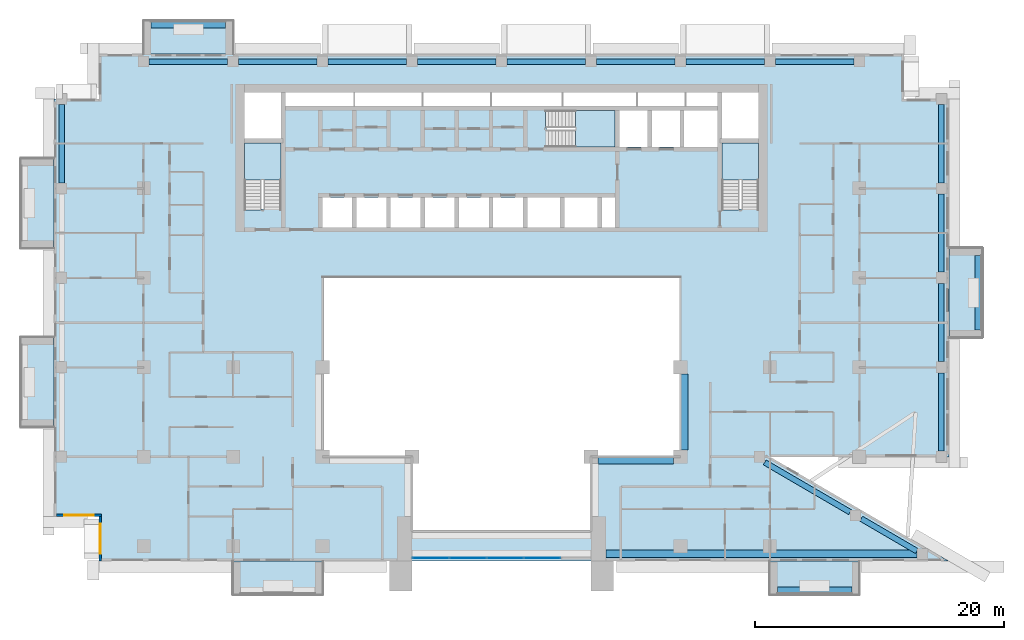
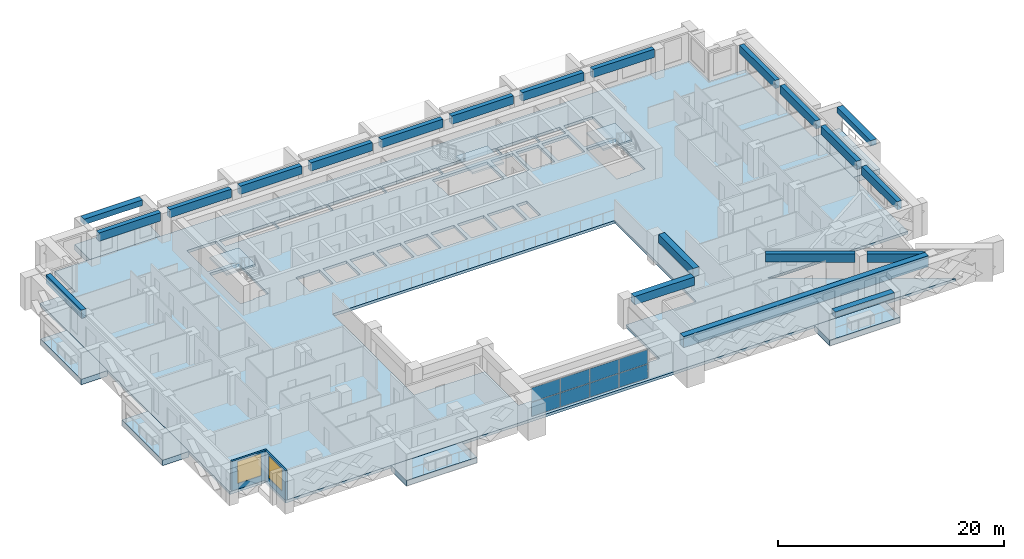
# One storey, part 5 of 20: 21 beams, 10 slabs, 8 plates, 2 walls, 2 windows, 2 openings, 4 elements without a shape of their own.
"""IFC4 building model written with IfcOpenShell, lengths in metres."""

import ifcopenshell
import ifcopenshell.guid

model = None  # the IFC model being written
_history = None  # IfcOwnerHistory: only IFC2X3 demands one
_inside = {}  # id of a spatial element -> (the spatial element, [elements in it])
_under = {}  # id of a project, library or spatial element -> (it, [spatial elements below it])
_declared = {}  # id of a project -> (the project, [libraries it declares])
_typed = {}  # id of a type object -> (the type object, [elements of that type])
_made_of = {}  # id of a material, layer set ... -> (it, [elements and type objects made of it])


def new_model(schema):
    """Start an empty IFC model of exactly this schema.

    Asked for "IFC4X3", IfcOpenShell would pick the latest addendum, in which some entities
    have other attributes; the version numbers below select the first issue.
    IFC2X3 requires an IfcOwnerHistory on every rooted entity: one is made here for all.
    """
    global model, _history
    if schema == "IFC4X3":
        model = ifcopenshell.file(schema_version=(4, 3, 0, 0))
    else:
        model = ifcopenshell.file(schema=schema)
    _inside.clear()
    _under.clear()
    _declared.clear()
    _typed.clear()
    _made_of.clear()
    _history = None
    if model.schema == "IFC2X3":
        org = make("IfcOrganization", Name="unknown")
        user = make(
            "IfcPersonAndOrganization",
            ThePerson=make("IfcPerson", FamilyName="unknown"),
            TheOrganization=org,
        )
        app = make(
            "IfcApplication",
            ApplicationDeveloper=org,
            Version="unknown",
            ApplicationFullName="unknown",
            ApplicationIdentifier="unknown",
        )
        _history = make(
            "IfcOwnerHistory",
            OwningUser=user,
            OwningApplication=app,
            ChangeAction="ADDED",
            CreationDate=0,
        )
    return model


def make(cls, **values):
    """One entity of the class cls with the attributes given. An attribute that is None is left unset."""
    return model.create_entity(
        cls, **{name: value for name, value in values.items() if value is not None}
    )


def rooted(cls, **values):
    """An entity with a GlobalId (a new one), such as an element, a storey or a relation."""
    return make(cls, GlobalId=ifcopenshell.guid.new(), OwnerHistory=_history, **values)


def si_unit(unit_type, name, prefix=None):
    """IfcSIUnit, for example si_unit("LENGTHUNIT", "METRE", prefix="MILLI")."""
    return make("IfcSIUnit", UnitType=unit_type, Prefix=prefix, Name=name)


def assignment(units):
    """IfcUnitAssignment: the units of a project."""
    return None if units is None else make("IfcUnitAssignment", Units=units)


def point(xyz):
    """IfcCartesianPoint."""
    return None if xyz is None else make("IfcCartesianPoint", Coordinates=xyz)


def direction(xyz):
    """IfcDirection."""
    return None if xyz is None else make("IfcDirection", DirectionRatios=xyz)


def frame(location, z_axis=None, x_axis=None):
    """IfcAxis2Placement3D, a coordinate frame: its origin and axes. An axis left out is left unset."""
    return make(
        "IfcAxis2Placement3D",
        Location=point(location),
        Axis=direction(z_axis),
        RefDirection=direction(x_axis),
    )


def frame_2d(location, x_axis=None):
    """IfcAxis2Placement2D, a coordinate frame in the plane: its origin and x axis."""
    return make(
        "IfcAxis2Placement2D", Location=point(location), RefDirection=direction(x_axis)
    )


def origin():
    """The frame at (0, 0, 0) with its axes left unset."""
    return frame((0.0, 0.0, 0.0))


def origin_2d():
    """The frame at (0, 0) in the plane with its x axis left unset."""
    return frame_2d((0.0, 0.0))


def place(relative_to, where):
    """IfcLocalPlacement: puts the frame where relative to a parent placement (None: the world)."""
    return make(
        "IfcLocalPlacement", PlacementRelTo=relative_to, RelativePlacement=where
    )


def context(
    kind, dimensions, precision=None, world=None, true_north=None, identifier=None
):
    """IfcGeometricRepresentationContext, for example the 3D "Model" context."""
    return make(
        "IfcGeometricRepresentationContext",
        ContextIdentifier=identifier,
        ContextType=kind,
        CoordinateSpaceDimension=dimensions,
        Precision=precision,
        WorldCoordinateSystem=world,
        TrueNorth=true_north,
    )


def subcontext(parent, identifier, kind, view, scale=None):
    """IfcGeometricRepresentationSubContext, for example "Body" below "Model"."""
    return make(
        "IfcGeometricRepresentationSubContext",
        ContextIdentifier=identifier,
        ContextType=kind,
        ParentContext=parent,
        TargetScale=scale,
        TargetView=view,
    )


def project(units=None, contexts=None):
    """IfcProject with its units and contexts."""
    return rooted(
        "IfcProject",
        Name="project",
        RepresentationContexts=contexts,
        UnitsInContext=assignment(units),
    )


def spatial(cls, under=None, at=None, **own):
    """A site, building, storey or space (cls), placed at a placement, below another one or the project."""
    s = rooted(cls, ObjectPlacement=at, **own)
    if under is not None:
        _under.setdefault(under.id(), (under, []))[1].append(s)
    return s


def polyline(points):
    """IfcPolyline through the points."""
    return make("IfcPolyline", Points=[point(p) for p in points])


def profile(cls, at=None, kind="AREA", **sizes):
    """A parametric profile (cls). Its sizes go by their IFC names, for example OverallWidth=200.0."""
    return make(cls, ProfileType=kind, Position=at, **sizes)


def rectangle(**sizes):
    """IfcRectangleProfileDef."""
    return profile("IfcRectangleProfileDef", **sizes)


def outline(outer, holes=None, kind="AREA"):
    """IfcArbitraryClosedProfileDef: a profile drawn as a closed curve; with holes, ...WithVoids."""
    if holes is None:
        return make("IfcArbitraryClosedProfileDef", ProfileType=kind, OuterCurve=outer)
    return make(
        "IfcArbitraryProfileDefWithVoids",
        ProfileType=kind,
        OuterCurve=outer,
        InnerCurves=holes,
    )


def extrude(swept, where, along, depth):
    """IfcExtrudedAreaSolid: the profile swept, set in the frame where, extruded along a direction by depth."""
    return make(
        "IfcExtrudedAreaSolid",
        SweptArea=swept,
        Position=where,
        ExtrudedDirection=direction(along),
        Depth=depth,
    )


def shape(context_of_items, identifier, shape_type, items):
    """IfcShapeRepresentation: the items that make up one representation, for example the "Body"."""
    return make(
        "IfcShapeRepresentation",
        ContextOfItems=context_of_items,
        RepresentationIdentifier=identifier,
        RepresentationType=shape_type,
        Items=items,
    )


def source(mapping_origin, context_of_items, identifier, shape_type, items):
    """IfcRepresentationMap: a shape defined once, which mapped items show again and again."""
    return make(
        "IfcRepresentationMap",
        MappingOrigin=mapping_origin,
        MappedRepresentation=shape(context_of_items, identifier, shape_type, items),
    )


def transform(
    local_origin,
    x_axis=None,
    y_axis=None,
    z_axis=None,
    scale=None,
    scale2=None,
    scale3=None,
    uniform=True,
):
    """IfcCartesianTransformationOperator3D, or its non-uniform kind. x_axis, y_axis, z_axis: its Axis1, 2, 3."""
    if uniform:
        return make(
            "IfcCartesianTransformationOperator3D",
            Axis1=direction(x_axis),
            Axis2=direction(y_axis),
            LocalOrigin=point(local_origin),
            Scale=scale,
            Axis3=direction(z_axis),
        )
    return make(
        "IfcCartesianTransformationOperator3DnonUniform",
        Axis1=direction(x_axis),
        Axis2=direction(y_axis),
        LocalOrigin=point(local_origin),
        Scale=scale,
        Axis3=direction(z_axis),
        Scale2=scale2,
        Scale3=scale3,
    )


def mapped(mapping_source, mapping_target):
    """IfcMappedItem: shows the shape of a source again, moved by a transform."""
    return make(
        "IfcMappedItem", MappingSource=mapping_source, MappingTarget=mapping_target
    )


def material(Name=None, Category=None):
    """IfcMaterial."""
    return make("IfcMaterial", Name=Name, Category=Category)


def layer(
    of_material, thickness, ventilated=None, Name=None, Category=None, Priority=None
):
    """IfcMaterialLayer: one layer of a wall or slab, of a material (None: an air gap)."""
    return make(
        "IfcMaterialLayer",
        Material=of_material,
        LayerThickness=thickness,
        IsVentilated=ventilated,
        Name=Name,
        Category=Category,
        Priority=Priority,
    )


def layer_set(layers, Name=None):
    """IfcMaterialLayerSet."""
    return make("IfcMaterialLayerSet", MaterialLayers=layers, LayerSetName=Name)


def material_profile(
    of_material, cross_section, Name=None, Category=None, Priority=None
):
    """IfcMaterialProfile: a cross section and its material."""
    return make(
        "IfcMaterialProfile",
        Name=Name,
        Material=of_material,
        Profile=cross_section,
        Priority=Priority,
        Category=Category,
    )


def profile_set(profiles, Name=None, composite=None):
    """IfcMaterialProfileSet."""
    return make(
        "IfcMaterialProfileSet",
        Name=Name,
        MaterialProfiles=profiles,
        CompositeProfile=composite,
    )


def made_of(thing, what):
    """Note that an element or type object is made of a material, layer set ...; save() writes the relation."""
    if what is not None:
        _made_of.setdefault(what.id(), (what, []))[1].append(thing)
    return thing


def type_object(cls, material=None, **own):
    """A type object (cls), such as IfcWallType, which elements share."""
    return made_of(rooted(cls, **own), material)


def element(
    cls,
    number,
    at=None,
    inside=None,
    cuts=None,
    type_object=None,
    material=None,
    context=None,
    identifier="Body",
    shape_type=None,
    held_by="IfcProductDefinitionShape",
    body=None,
    shapes=None,
    **own,
):
    """One element of the class cls, such as IfcWall. Its Tag is "e" and its number.

    at: its placement. inside: the storey or other place that contains it. cuts: it is an
    opening in that element (IfcRelVoidsElement). A single representation is given by context,
    identifier, shape_type and body (its items); several are given by shapes. held_by: the class
    of the entity that holds the representations. save() writes the other relations.
    """
    e = rooted(cls, Tag="e%d" % number, ObjectPlacement=at, **own)
    if body is not None:
        shapes = [shape(context, identifier, shape_type, body)]
    if shapes is not None:
        e.Representation = make(held_by, Representations=shapes)
    if inside is not None:
        _inside.setdefault(inside.id(), (inside, []))[1].append(e)
    if cuts is not None:
        rooted(
            "IfcRelVoidsElement", RelatingBuildingElement=cuts, RelatedOpeningElement=e
        )
    if type_object is not None:
        _typed.setdefault(type_object.id(), (type_object, []))[1].append(e)
    return made_of(e, material)


def fill(opening, filler):
    """IfcRelFillsElement: the door or window that sits in an opening."""
    return rooted(
        "IfcRelFillsElement",
        RelatingOpeningElement=opening,
        RelatedBuildingElement=filler,
    )


def aggregate(whole, parts):
    """IfcRelAggregates: a whole, such as a stair, and the parts it consists of."""
    return rooted("IfcRelAggregates", RelatingObject=whole, RelatedObjects=parts)


def save(model, path):
    """Write the relations noted so far, then the file.

    IfcRelAggregates (storeys below a building ...), IfcRelContainedInSpatialStructure (elements
    in a storey), IfcRelDefinesByType, IfcRelAssociatesMaterial and IfcRelDeclares: one each for
    every whole, place, type object, material and project.
    """
    for whole, parts in _under.values():
        aggregate(whole, parts)
    for where, things in _inside.values():
        rooted(
            "IfcRelContainedInSpatialStructure",
            RelatedElements=things,
            RelatingStructure=where,
        )
    for kind, things in _typed.values():
        rooted("IfcRelDefinesByType", RelatedObjects=things, RelatingType=kind)
    for what, things in _made_of.values():
        rooted("IfcRelAssociatesMaterial", RelatedObjects=things, RelatingMaterial=what)
    for by, libraries in _declared.values():
        rooted("IfcRelDeclares", RelatingContext=by, RelatedDefinitions=libraries)
    model.write(path)


model = new_model("IFC4")

# Units and contexts
model_context = context("Model", 3, precision=1e-05, world=origin(), true_north=direction((0.0, 1.0)))
body_context = subcontext(model_context, "Body", "Model", "MODEL_VIEW")
ifc_project = project(units=[si_unit("LENGTHUNIT", "METRE"), si_unit("AREAUNIT", "SQUARE_METRE"), si_unit("VOLUMEUNIT", "CUBIC_METRE"), si_unit("PLANEANGLEUNIT", "RADIAN"), si_unit("MASSUNIT", "GRAM", prefix="KILO")], contexts=[model_context])

# Site, building, storey
site_placement = place(None, origin())
site = spatial("IfcSite", under=ifc_project, at=site_placement, CompositionType="ELEMENT")
building_placement = place(site_placement, origin())
building = spatial("IfcBuilding", under=site, at=building_placement, Name="Saffron Iwan Residences", CompositionType="ELEMENT")
storey_placement = place(building_placement, frame((0.0, 0.0, 127.0)))
storey = spatial("IfcBuildingStorey", under=building, at=storey_placement, Name="L33", CompositionType="ELEMENT", Elevation=127.0)

# Beams
ifc_material_1 = material(Name="Concrete C50/60", Category="concrete")
ifc_material_profile_1 = material_profile(ifc_material_1, rectangle(XDim=0.449951171875, YDim=0.89990234375, at=origin_2d()), Name="RC 450x900")
ifc_profile_set_1 = profile_set([ifc_material_profile_1], Name="Concrete C50/60")
beam_type_1 = type_object("IfcBeamType", Name="SPANDREL BEAM RC 450x900 C50/60 TOP 3200", PredefinedType="SPANDREL", material=ifc_profile_set_1)
shared_shape_1 = source(origin(), body_context, "Body", "SweptSolid", [
    extrude(rectangle(XDim=0.449951171875, YDim=0.89990234375, at=origin_2d()), origin(), (0.0, 0.0, 1.0), 5.184814453125),
])
beam_1_placement = place(storey_placement, frame((79.34765625, 43.019287109375, 2.75), z_axis=(0.86377206948, -0.503882736345, 0.0), x_axis=(0.503882736345, 0.86377206948, 0.0)))
element("IfcBeam", 1, at=beam_1_placement, inside=storey, type_object=beam_type_1, Name="Spandrel beam", PredefinedType="SPANDREL", context=body_context, shape_type="MappedRepresentation", body=[
    mapped(shared_shape_1, transform((0.0, 0.0, 0.0))),
])
shared_shape_2 = source(origin(), body_context, "Body", "SweptSolid", [
    extrude(rectangle(XDim=0.449951171875, YDim=0.89990234375, at=origin_2d()), origin(), (0.0, 0.0, 1.0), 7.9501953125),
])
beam_2_placement = place(storey_placement, frame((71.58056640625, 47.550048828125, 2.75), z_axis=(0.863778900898, -0.503871025524, 0.0), x_axis=(0.503871025524, 0.863778900898, 0.0)))
element("IfcBeam", 2, at=beam_2_placement, inside=storey, type_object=beam_type_1, Name="Spandrel beam", PredefinedType="SPANDREL", context=body_context, shape_type="MappedRepresentation", body=[
    mapped(shared_shape_2, transform((0.0, 0.0, 0.0))),
])
shared_shape_3 = source(origin(), body_context, "Body", "SweptSolid", [
    extrude(rectangle(XDim=0.449951171875, YDim=0.89990234375, at=origin_2d()), origin(), (0.0, 0.0, 1.0), 6.300048828125),
])
for number, where, z_axis, x_axis, name in (
    (3, (85.800048828125, 54.75, 2.75), (0.0, -1.0, 0.0), (1.0, 0.0, 0.0), "Spandrel beam"),
    (4, (85.800048828125, 61.949951171875, 2.75), (0.0, -1.0, 0.0), (1.0, 0.0, 0.0), "Spandrel beam"),
    (5, (15.0, 70.050048828125, 2.75), (0.0, 1.0, 0.0), (-1.0, 0.0, 0.0), "Spandrel beam"),
    (6, (85.800048828125, 76.35009765625, 2.75), (0.0, -1.0, 0.0), (1.0, 0.0, 0.0), "Spandrel beam"),
    (7, (22.050048828125, 79.800048828125, 2.75), (1.0, 0.0, 0.0), (0.0, 1.0, 0.0), "Spandrel beam"),
    (8, (29.25, 79.800048828125, 2.75), (1.0, 0.0, 0.0), (0.0, 1.0, 0.0), "Spandrel beam"),
    (9, (36.449951171875, 79.800048828125, 2.75), (1.0, 0.0, 0.0), (0.0, 1.0, 0.0), "Spandrel beam"),
    (10, (43.64990234375, 79.800048828125, 2.75), (1.0, 0.0, 0.0), (0.0, 1.0, 0.0), "Spandrel beam"),
    (11, (58.050048828125, 79.800048828125, 2.75), (1.0, 0.0, 0.0), (0.0, 1.0, 0.0), "Spandrel beam"),
    (12, (65.25, 79.800048828125, 2.75), (1.0, 0.0, 0.0), (0.0, 1.0, 0.0), "Spandrel beam"),
    (13, (72.449951171875, 79.800048828125, 2.75), (1.0, 0.0, 0.0), (0.0, 1.0, 0.0), "Spandrel beam"),
):
    element("IfcBeam", number, at=place(storey_placement, frame(where, z_axis=z_axis, x_axis=x_axis)), inside=storey, type_object=beam_type_1, Name=name, PredefinedType="SPANDREL", context=body_context, shape_type="MappedRepresentation", body=[
        mapped(shared_shape_3, transform((0.0, 0.0, 0.0))),
    ])
shared_shape_4 = source(origin(), body_context, "Body", "SweptSolid", [
    extrude(rectangle(XDim=0.449951171875, YDim=0.89990234375, at=origin_2d()), origin(), (0.0, 0.0, 1.0), 6.2998046875),
])
for number, where, z_axis, x_axis, name in (
    (14, (85.800048828125, 69.14990234375, 2.75), (0.0, -1.0, 0.0), (1.0, 0.0, 0.0), "Spandrel beam"),
    (15, (50.85009765625, 79.800048828125, 2.75), (1.0, 0.0, 0.0), (0.0, 1.0, 0.0), "Spandrel beam"),
):
    element("IfcBeam", number, at=place(storey_placement, frame(where, z_axis=z_axis, x_axis=x_axis)), inside=storey, type_object=beam_type_1, Name=name, PredefinedType="SPANDREL", context=body_context, shape_type="MappedRepresentation", body=[
        mapped(shared_shape_4, transform((0.0, 0.0, 0.0))),
    ])
ifc_material_profile_2 = material_profile(ifc_material_1, rectangle(XDim=0.60009765625, YDim=1.199951171875, at=origin_2d()), Name="RC 600x1200")
ifc_profile_set_2 = profile_set([ifc_material_profile_2], Name="Concrete C50/60")
beam_type_2 = type_object("IfcBeamType", Name="LINTEL BEAM RC 600x1200 C50/60 TOP 3200", PredefinedType="LINTEL", material=ifc_profile_set_2)
shared_shape_5 = source(origin(), body_context, "Body", "SweptSolid", [
    extrude(rectangle(XDim=0.60009765625, YDim=1.199951171875, at=origin_2d()), origin(), (0.0, 0.0, 1.0), 25.026123046875),
])
beam_3_placement = place(storey_placement, frame((83.826171875, 40.199951171875, 2.60009765625), z_axis=(-1.0, 0.0, 0.0), x_axis=(0.0, -1.0, 0.0)))
element("IfcBeam", 16, at=beam_3_placement, inside=storey, type_object=beam_type_2, Name="Lintel beam over the iwan", PredefinedType="LINTEL", context=body_context, shape_type="MappedRepresentation", body=[
    mapped(shared_shape_5, transform((0.0, 0.0, 0.0))),
])
ifc_material_profile_3 = material_profile(ifc_material_1, rectangle(XDim=0.60009765625, YDim=0.89990234375, at=origin_2d()), Name="RC 600x900")
ifc_profile_set_3 = profile_set([ifc_material_profile_3], Name="Concrete C50/60")
beam_type_3 = type_object("IfcBeamType", Name="BEAM RC 600x900 C50/60 TOP 3200", PredefinedType="BEAM", material=ifc_profile_set_3)
shared_shape_6 = source(origin(), body_context, "Body", "SweptSolid", [
    extrude(rectangle(XDim=0.60009765625, YDim=0.89990234375, at=origin_2d()), origin(), (0.0, 0.0, 1.0), 6.099853515625),
])
beam_4_placement = place(storey_placement, frame((65.10009765625, 54.64990234375, 2.75), z_axis=(0.0, -1.0, 0.0), x_axis=(1.0, 0.0, 0.0)))
element("IfcBeam", 17, at=beam_4_placement, inside=storey, type_object=beam_type_3, Name="Atrium edge beam", PredefinedType="BEAM", context=body_context, shape_type="MappedRepresentation", body=[
    mapped(shared_shape_6, transform((0.0, 0.0, 0.0))),
])
shared_shape_7 = source(origin(), body_context, "Body", "SweptSolid", [
    extrude(rectangle(XDim=0.60009765625, YDim=0.89990234375, at=origin_2d()), origin(), (0.0, 0.0, 1.0), 6.10009765625),
])
beam_5_placement = place(storey_placement, frame((64.25, 47.699951171875, 2.75), z_axis=(-1.0, 0.0, 0.0), x_axis=(0.0, -1.0, 0.0)))
element("IfcBeam", 18, at=beam_5_placement, inside=storey, type_object=beam_type_3, Name="Atrium edge beam", PredefinedType="BEAM", context=body_context, shape_type="MappedRepresentation", body=[
    mapped(shared_shape_7, transform((0.0, 0.0, 0.0))),
])
ifc_material_2 = material(Name="Concrete C50/60 white painted", Category="concrete")
ifc_material_profile_4 = material_profile(ifc_material_2, rectangle(XDim=0.60009765625, YDim=0.60009765625, at=origin_2d()), Name="BALCONY FASCIA BEAM 600 x 600")
ifc_profile_set_4 = profile_set([ifc_material_profile_4], Name="Concrete C50/60 white painted")
beam_type_4 = type_object("IfcBeamType", Name="BALCONY FASCIA BEAM 600 x 600", PredefinedType="BEAM", material=ifc_profile_set_4)
shared_shape_8 = source(origin(), body_context, "Body", "SweptSolid", [
    extrude(rectangle(XDim=0.60009765625, YDim=0.60009765625, at=origin_2d()), origin(), (0.0, 0.0, 1.0), 6.0),
])
for number, where, z_axis, x_axis, name in (
    (19, (88.800048828125, 58.199951171875, 2.550048828125), (0.0, 1.0, 0.0), (-1.0, 0.0, 0.0), "Balcony fascia beam L33 F2-0"),
    (20, (28.199951171875, 82.800048828125, 2.550048828125), (-1.0, 0.0, 0.0), (0.0, -1.0, 0.0), "Balcony fascia beam L33 F5-3"),
    (21, (72.60009765625, 37.199951171875, 2.550048828125), (1.0, 0.0, 0.0), (0.0, 1.0, 0.0), "Balcony fascia beam L33 11-1"),
):
    element("IfcBeam", number, at=place(storey_placement, frame(where, z_axis=z_axis, x_axis=x_axis)), inside=storey, type_object=beam_type_4, Name=name, PredefinedType="BEAM", context=body_context, shape_type="MappedRepresentation", body=[
        mapped(shared_shape_8, transform((0.0, 0.0, 0.0))),
    ])

# Slabs
ifc_layer_1 = layer(ifc_material_2, 0.60009765625)
ifc_layer_set_1 = layer_set([ifc_layer_1], Name="Concrete C50/60 white painted")
slab_type_1 = type_object("IfcSlabType", Name="BALCONY FRAME SLAB 600", PredefinedType="FLOOR", material=ifc_layer_set_1)
slab_1_placement = place(storey_placement, frame((0.0, 0.0, -0.60009765625)))
element("IfcSlab", 22, at=slab_1_placement, inside=storey, type_object=slab_type_1, Name="Balcony frame slab L33 F2-0", PredefinedType="FLOOR", context=body_context, shape_type="SweptSolid", body=[
    extrude(outline(polyline([(89.10009765625, 57.60009765625), (89.10009765625, 64.800048828125), (86.39990234375, 64.800048828125), (86.39990234375, 57.60009765625), (89.10009765625, 57.60009765625)])), origin(), (0.0, 0.0, 1.0), 0.60009765625),
])
slab_2_placement = place(storey_placement, frame((0.0, 0.0, -0.60009765625)))
element("IfcSlab", 23, at=slab_2_placement, inside=storey, type_object=slab_type_1, Name="Balcony frame slab L33 F5-3", PredefinedType="FLOOR", context=body_context, shape_type="SweptSolid", body=[
    extrude(outline(polyline([(28.800048828125, 83.10009765625), (21.60009765625, 83.10009765625), (21.60009765625, 80.39990234375), (28.800048828125, 80.39990234375), (28.800048828125, 83.10009765625)])), origin(), (0.0, 0.0, 1.0), 0.60009765625),
])
slab_3_placement = place(storey_placement, frame((0.0, 0.0, -0.60009765625)))
element("IfcSlab", 24, at=slab_3_placement, inside=storey, type_object=slab_type_1, Name="Balcony frame slab L33 F8-0", PredefinedType="FLOOR", context=body_context, shape_type="SweptSolid", body=[
    extrude(outline(polyline([(11.699951171875, 72.0), (11.699951171875, 64.800048828125), (14.39990234375, 64.800048828125), (14.39990234375, 72.0), (11.699951171875, 72.0)])), origin(), (0.0, 0.0, 1.0), 0.60009765625),
])
slab_4_placement = place(storey_placement, frame((0.0, 0.0, -0.60009765625)))
element("IfcSlab", 25, at=slab_4_placement, inside=storey, type_object=slab_type_1, Name="Balcony frame slab L33 F8-1", PredefinedType="FLOOR", context=body_context, shape_type="SweptSolid", body=[
    extrude(outline(polyline([(11.699951171875, 57.60009765625), (11.699951171875, 50.39990234375), (14.39990234375, 50.39990234375), (14.39990234375, 57.60009765625), (11.699951171875, 57.60009765625)])), origin(), (0.0, 0.0, 1.0), 0.60009765625),
])
slab_5_placement = place(storey_placement, frame((0.0, 0.0, -0.60009765625)))
element("IfcSlab", 26, at=slab_5_placement, inside=storey, type_object=slab_type_1, Name="Balcony frame slab L33 11-0", PredefinedType="FLOOR", context=body_context, shape_type="SweptSolid", body=[
    extrude(outline(polyline([(28.800048828125, 36.89990234375), (36.0, 36.89990234375), (36.0, 39.60009765625), (28.800048828125, 39.60009765625), (28.800048828125, 36.89990234375)])), origin(), (0.0, 0.0, 1.0), 0.60009765625),
])
slab_6_placement = place(storey_placement, frame((0.0, 0.0, -0.60009765625)))
element("IfcSlab", 27, at=slab_6_placement, inside=storey, type_object=slab_type_1, Name="Balcony frame slab L33 11-1", PredefinedType="FLOOR", context=body_context, shape_type="SweptSolid", body=[
    extrude(outline(polyline([(72.0, 36.89990234375), (79.199951171875, 36.89990234375), (79.199951171875, 39.60009765625), (72.0, 39.60009765625), (72.0, 36.89990234375)])), origin(), (0.0, 0.0, 1.0), 0.60009765625),
])
ifc_material_3 = material(Name="Concrete C40/50", Category="concrete")
ifc_layer_2 = layer(ifc_material_3, 0.300048828125)
ifc_layer_set_2 = layer_set([ifc_layer_2], Name="Concrete C40/50")
slab_type_2 = type_object("IfcSlabType", Name="PT PLATE 300 C40/50", PredefinedType="FLOOR", material=ifc_layer_set_2)
slab_7_placement = place(storey_placement, frame((0.0, 0.0, -0.300048828125)))
element("IfcSlab", 28, at=slab_7_placement, inside=storey, type_object=slab_type_2, Name="Floor slab L33", PredefinedType="FLOOR", context=body_context, shape_type="SweptSolid", body=[
    extrude(outline(polyline([(14.39990234375, 43.199951171875), (14.39990234375, 76.800048828125), (18.0, 76.800048828125), (18.0, 80.39990234375), (82.800048828125, 80.39990234375), (82.800048828125, 76.800048828125), (86.39990234375, 76.800048828125), (86.39990234375, 48.0), (72.0, 48.0), (86.39990234375, 39.60009765625), (18.0, 39.60009765625), (18.0, 43.199951171875), (14.39990234375, 43.199951171875)]), holes=[polyline([(64.800048828125, 48.0), (64.800048828125, 62.39990234375), (36.0, 62.39990234375), (36.0, 48.0), (43.199951171875, 48.0), (43.199951171875, 42.0), (57.60009765625, 42.0), (57.60009765625, 48.0), (64.800048828125, 48.0)]), polyline([(38.375, 68.875), (35.97509765625, 68.875), (35.97509765625, 66.449951171875), (38.375, 66.449951171875), (38.375, 68.875)]), polyline([(41.125, 66.449951171875), (41.125, 68.875), (38.72509765625, 68.875), (38.72509765625, 66.449951171875), (41.125, 66.449951171875)]), polyline([(43.875, 66.449951171875), (43.875, 68.875), (41.47509765625, 68.875), (41.47509765625, 66.449951171875), (43.875, 66.449951171875)]), polyline([(46.625, 68.875), (44.22509765625, 68.875), (44.22509765625, 66.449951171875), (46.625, 66.449951171875), (46.625, 68.875)]), polyline([(49.375, 66.449951171875), (49.375, 68.875), (46.97509765625, 68.875), (46.97509765625, 66.449951171875), (49.375, 66.449951171875)]), polyline([(52.125, 66.449951171875), (52.125, 68.875), (49.72509765625, 68.875), (49.72509765625, 66.449951171875), (52.125, 66.449951171875)]), polyline([(29.699951171875, 73.25), (29.699951171875, 67.949951171875), (29.699951171875, 67.8505859375), (31.10009765625, 67.8505859375), (31.10009765625, 67.949951171875), (32.64990234375, 67.949951171875), (32.64990234375, 73.25), (29.699951171875, 73.25)]), polyline([(32.64990234375, 73.60009765625), (32.64990234375, 77.300048828125), (29.699951171875, 77.300048828125), (29.699951171875, 73.60009765625), (32.64990234375, 73.60009765625)]), polyline([(38.5, 76.22509765625), (38.5, 77.300048828125), (33.0, 77.300048828125), (33.0, 76.22509765625), (38.5, 76.22509765625)]), polyline([(44.0, 77.300048828125), (38.60009765625, 77.300048828125), (38.60009765625, 76.22509765625), (44.0, 76.22509765625), (44.0, 77.300048828125)]), polyline([(49.5, 76.22509765625), (49.5, 77.300048828125), (44.10009765625, 77.300048828125), (44.10009765625, 76.22509765625), (49.5, 76.22509765625)]), polyline([(55.25, 76.22509765625), (55.25, 77.300048828125), (49.60009765625, 77.300048828125), (49.60009765625, 76.22509765625), (55.25, 76.22509765625)]), polyline([(55.125, 68.875), (52.47509765625, 68.875), (52.47509765625, 66.449951171875), (55.125, 66.449951171875), (55.125, 68.875)]), polyline([(58.125, 66.449951171875), (58.125, 68.875), (55.47509765625, 68.875), (55.47509765625, 66.449951171875), (58.125, 66.449951171875)]), polyline([(59.550048828125, 66.449951171875), (59.550048828125, 68.875), (58.47509765625, 68.875), (58.47509765625, 66.449951171875), (59.550048828125, 66.449951171875)]), polyline([(68.14990234375, 73.25), (68.14990234375, 67.949951171875), (68.14990234375, 67.8505859375), (69.550048828125, 67.8505859375), (69.550048828125, 67.949951171875), (71.10009765625, 67.949951171875), (71.10009765625, 73.25), (68.14990234375, 73.25)]), polyline([(53.925537109375, 74.47509765625), (54.02490234375, 74.47509765625), (54.02490234375, 72.925048828125), (59.550048828125, 72.925048828125), (59.550048828125, 75.875), (54.02490234375, 75.875), (53.925537109375, 75.875), (53.925537109375, 74.47509765625)]), polyline([(62.14990234375, 72.925048828125), (62.14990234375, 75.875), (59.89990234375, 75.875), (59.89990234375, 72.925048828125), (62.14990234375, 72.925048828125)]), polyline([(64.75, 75.875), (62.5, 75.875), (62.5, 72.925048828125), (64.75, 72.925048828125), (64.75, 75.875)]), polyline([(67.800048828125, 72.925048828125), (67.800048828125, 75.875), (65.10009765625, 75.875), (65.10009765625, 72.925048828125), (67.800048828125, 72.925048828125)]), polyline([(71.10009765625, 73.60009765625), (71.10009765625, 77.300048828125), (68.14990234375, 77.300048828125), (68.14990234375, 73.60009765625), (71.10009765625, 73.60009765625)]), polyline([(61.25, 77.300048828125), (55.35009765625, 77.300048828125), (55.35009765625, 76.22509765625), (61.25, 76.22509765625), (61.25, 77.300048828125)]), polyline([(65.14990234375, 76.22509765625), (65.14990234375, 77.300048828125), (61.35009765625, 77.300048828125), (61.35009765625, 76.22509765625), (65.14990234375, 76.22509765625)]), polyline([(67.800048828125, 76.22509765625), (67.800048828125, 77.300048828125), (65.25, 77.300048828125), (65.25, 76.22509765625), (67.800048828125, 76.22509765625)])]), origin(), (0.0, 0.0, 1.0), 0.300048828125),
])

# Stair, slab
stair_type = type_object("IfcStairType", Name="Stair ST-CORE", PredefinedType="HALF_TURN_STAIR", material=ifc_material_1)
stair_1_placement = place(storey_placement, origin())
stair_1 = element("IfcStair", 29, at=stair_1_placement, inside=storey, type_object=stair_type, Name="L33 Exit Stair ST-W", PredefinedType="HALF_TURN_STAIR")
ifc_layer_3 = layer(ifc_material_1, 0.199951171875)
ifc_layer_set_3 = layer_set([ifc_layer_3], Name="Concrete C50/60")
slab_type_3 = type_object("IfcSlabType", Name="Stair landing SL-RC", PredefinedType="LANDING", material=ifc_layer_set_3)
slab_8_placement = place(storey_placement, frame((0.0, 0.0, 1.5498046875)))
slab_8 = element("IfcSlab", 30, at=slab_8_placement, type_object=slab_type_3, Name="ST-W landing 1", PredefinedType="LANDING", context=body_context, shape_type="SweptSolid", body=[
    extrude(outline(polyline([(32.64990234375, 70.280029296875), (32.64990234375, 73.25), (29.699951171875, 73.25), (29.699951171875, 70.280029296875), (32.64990234375, 70.280029296875)])), origin(), (0.0, 0.0, 1.0), 0.2001953125),
])
aggregate(stair_1, [slab_8])

stair_2_placement = place(storey_placement, origin())
stair_2 = element("IfcStair", 31, at=stair_2_placement, inside=storey, type_object=stair_type, Name="L33 Exit Stair ST-C", PredefinedType="HALF_TURN_STAIR")
slab_9_placement = place(storey_placement, frame((0.0, 0.0, 1.5498046875)))
slab_9 = element("IfcSlab", 32, at=slab_9_placement, type_object=slab_type_3, Name="ST-C landing 1", PredefinedType="LANDING", context=body_context, shape_type="SweptSolid", body=[
    extrude(outline(polyline([(56.35498046875, 72.925048828125), (59.550048828125, 72.925048828125), (59.550048828125, 75.875), (56.35498046875, 75.875), (56.35498046875, 72.925048828125)])), origin(), (0.0, 0.0, 1.0), 0.2001953125),
])
aggregate(stair_2, [slab_9])

stair_3_placement = place(storey_placement, origin())
stair_3 = element("IfcStair", 33, at=stair_3_placement, inside=storey, type_object=stair_type, Name="L33 Exit Stair ST-E", PredefinedType="HALF_TURN_STAIR")
slab_10_placement = place(storey_placement, frame((0.0, 0.0, 1.5498046875)))
slab_10 = element("IfcSlab", 34, at=slab_10_placement, type_object=slab_type_3, Name="ST-E landing 1", PredefinedType="LANDING", context=body_context, shape_type="SweptSolid", body=[
    extrude(outline(polyline([(71.10009765625, 70.280029296875), (71.10009765625, 73.25), (68.14990234375, 73.25), (68.14990234375, 70.280029296875), (71.10009765625, 70.280029296875)])), origin(), (0.0, 0.0, 1.0), 0.2001953125),
])
aggregate(stair_3, [slab_10])

# Curtain wall, plates
ifc_material_4 = material(Name="Clear glass, laminated double glazed", Category="glass")
ifc_layer_4 = layer(ifc_material_4, 0.199951171875)
ifc_layer_set_4 = layer_set([ifc_layer_4], Name="Clear glass, laminated double glazed")
curtain_wall_type = type_object("IfcCurtainWallType", Name="CW-B IWAN PORTAL", PredefinedType="NOTDEFINED", material=ifc_layer_set_4)
curtain_wall_placement = place(storey_placement, origin())
curtain_wall = element("IfcCurtainWall", 35, at=curtain_wall_placement, inside=storey, type_object=curtain_wall_type, Name="Iwan portal glazing L33.1", PredefinedType="NOTDEFINED")
ifc_layer_5 = layer(ifc_material_4, 0.028076171875)
ifc_layer_set_5 = layer_set([ifc_layer_5], Name="Clear glass, laminated double glazed")
plate_type = type_object("IfcPlateType", Name="CW-B PANEL 28", PredefinedType="CURTAIN_PANEL", material=ifc_layer_set_5)
shared_shape_9 = source(origin(), body_context, "Body", "SweptSolid", [
    extrude(rectangle(XDim=2.909912109375, YDim=0.028076171875, at=origin_2d()), origin(), (0.0, 0.0, 1.0), 1.510009765625),
])
plate_1_placement = place(storey_placement, frame((44.715087890625, 39.85009765625, 0.06005859375), z_axis=(0.0, 0.0, 1.0), x_axis=(1.0, 0.0, 0.0)))
plate_1 = element("IfcPlate", 36, at=plate_1_placement, type_object=plate_type, Name="CW-B panel 1.1", PredefinedType="CURTAIN_PANEL", context=body_context, shape_type="MappedRepresentation", body=[
    mapped(shared_shape_9, transform((0.0, 0.0, 0.0))),
])
plate_2_placement = place(storey_placement, frame((44.715087890625, 39.85009765625, 1.6298828125), z_axis=(0.0, 0.0, 1.0), x_axis=(1.0, 0.0, 0.0)))
plate_2 = element("IfcPlate", 37, at=plate_2_placement, type_object=plate_type, Name="CW-B panel 1.2", PredefinedType="CURTAIN_PANEL", context=body_context, shape_type="MappedRepresentation", body=[
    mapped(shared_shape_9, transform((0.0, 0.0, 0.0))),
])
plate_3_placement = place(storey_placement, frame((53.68505859375, 39.85009765625, 0.06005859375), z_axis=(0.0, 0.0, 1.0), x_axis=(1.0, 0.0, 0.0)))
plate_3 = element("IfcPlate", 38, at=plate_3_placement, type_object=plate_type, Name="CW-B panel 4.1", PredefinedType="CURTAIN_PANEL", context=body_context, shape_type="MappedRepresentation", body=[
    mapped(shared_shape_9, transform((0.0, 0.0, 0.0))),
])
plate_4_placement = place(storey_placement, frame((53.68505859375, 39.85009765625, 1.6298828125), z_axis=(0.0, 0.0, 1.0), x_axis=(1.0, 0.0, 0.0)))
plate_4 = element("IfcPlate", 39, at=plate_4_placement, type_object=plate_type, Name="CW-B panel 4.2", PredefinedType="CURTAIN_PANEL", context=body_context, shape_type="MappedRepresentation", body=[
    mapped(shared_shape_9, transform((0.0, 0.0, 0.0))),
])
shared_shape_10 = source(origin(), body_context, "Body", "SweptSolid", [
    extrude(rectangle(XDim=2.93994140625, YDim=0.028076171875, at=origin_2d()), origin(), (0.0, 0.0, 1.0), 1.510009765625),
])
plate_5_placement = place(storey_placement, frame((47.699951171875, 39.85009765625, 0.06005859375), z_axis=(0.0, 0.0, 1.0), x_axis=(1.0, 0.0, 0.0)))
plate_5 = element("IfcPlate", 40, at=plate_5_placement, type_object=plate_type, Name="CW-B panel 2.1", PredefinedType="CURTAIN_PANEL", context=body_context, shape_type="MappedRepresentation", body=[
    mapped(shared_shape_10, transform((0.0, 0.0, 0.0))),
])
plate_6_placement = place(storey_placement, frame((47.699951171875, 39.85009765625, 1.6298828125), z_axis=(0.0, 0.0, 1.0), x_axis=(1.0, 0.0, 0.0)))
plate_6 = element("IfcPlate", 41, at=plate_6_placement, type_object=plate_type, Name="CW-B panel 2.2", PredefinedType="CURTAIN_PANEL", context=body_context, shape_type="MappedRepresentation", body=[
    mapped(shared_shape_10, transform((0.0, 0.0, 0.0))),
])
plate_7_placement = place(storey_placement, frame((50.699951171875, 39.85009765625, 0.06005859375), z_axis=(0.0, 0.0, 1.0), x_axis=(1.0, 0.0, 0.0)))
plate_7 = element("IfcPlate", 42, at=plate_7_placement, type_object=plate_type, Name="CW-B panel 3.1", PredefinedType="CURTAIN_PANEL", context=body_context, shape_type="MappedRepresentation", body=[
    mapped(shared_shape_10, transform((0.0, 0.0, 0.0))),
])
plate_8_placement = place(storey_placement, frame((50.699951171875, 39.85009765625, 1.6298828125), z_axis=(0.0, 0.0, 1.0), x_axis=(1.0, 0.0, 0.0)))
plate_8 = element("IfcPlate", 43, at=plate_8_placement, type_object=plate_type, Name="CW-B panel 3.2", PredefinedType="CURTAIN_PANEL", context=body_context, shape_type="MappedRepresentation", body=[
    mapped(shared_shape_10, transform((0.0, 0.0, 0.0))),
])
aggregate(curtain_wall, [plate_1, plate_2, plate_5, plate_6, plate_7, plate_8, plate_3, plate_4])

# Wall, opening, window
ifc_layer_6 = layer(ifc_material_3, 0.199951171875)
ifc_layer_set_6 = layer_set([ifc_layer_6], Name="Concrete C40/50")
wall_type = type_object("IfcWallType", Name="EXTERNAL WALL 200", PredefinedType="SOLIDWALL", material=ifc_layer_set_6)
wall_1_placement = place(storey_placement, frame((14.60009765625, 43.300048828125, 0.0), z_axis=(0.0, 0.0, 1.0), x_axis=(1.0, 0.0, 0.0)))
wall_1 = element("IfcWall", 44, at=wall_1_placement, inside=storey, type_object=wall_type, Name="External wall L33 F9.0", PredefinedType="SOLIDWALL", context=body_context, shape_type="SweptSolid", body=[
    extrude(rectangle(XDim=3.599853515625, YDim=0.199951171875, at=frame_2d((1.7998046875, 0.0))), origin(), (0.0, 0.0, 1.0), 3.199951171875),
])
opening_1_placement = place(wall_1_placement, frame((0.60009765625, 0.0, 0.60009765625)))
opening_1 = element("IfcOpeningElement", 45, at=opening_1_placement, cuts=wall_1, Name="Opening W1", PredefinedType="OPENING", context=body_context, shape_type="SweptSolid", body=[
    extrude(rectangle(XDim=2.39990234375, YDim=2.39990234375, at=frame_2d((1.199951171875, 1.199951171875))), frame((0.0, 0.10986328125, 0.0), z_axis=(0.0, -1.0, 0.0), x_axis=(1.0, 0.0, 0.0)), (0.0, 0.0, 1.0), 0.219970703125),
])
window_type = type_object("IfcWindowType", Name="WINDOW 2400 x 2400", PartitioningType="DOUBLE_PANEL_VERTICAL", PredefinedType="WINDOW", material=ifc_material_4)
window_1_placement = place(opening_1_placement, origin())
window_1 = element("IfcWindow", 46, at=window_1_placement, inside=storey, type_object=window_type, Name="Window L33 F9.0", OverallHeight=2.39990234375, OverallWidth=2.39990234375, PartitioningType="DOUBLE_PANEL_VERTICAL", PredefinedType="WINDOW", context=body_context, shape_type="SweptSolid", body=[
    extrude(rectangle(XDim=2.39990234375, YDim=2.39990234375, at=frame_2d((1.199951171875, 1.199951171875))), frame((0.0, 0.030029296875, 0.0), z_axis=(0.0, -1.0, 0.0), x_axis=(1.0, 0.0, 0.0)), (0.0, 0.0, 1.0), 0.06005859375),
])
fill(opening_1, window_1)

wall_2_placement = place(storey_placement, frame((18.10009765625, 43.199951171875, 0.0), z_axis=(0.0, 0.0, 1.0), x_axis=(0.0, -1.0, 0.0)))
wall_2 = element("IfcWall", 47, at=wall_2_placement, inside=storey, type_object=wall_type, Name="External wall L33 F10.0", PredefinedType="SOLIDWALL", context=body_context, shape_type="SweptSolid", body=[
    extrude(rectangle(XDim=3.599853515625, YDim=0.199951171875, at=frame_2d((1.7998046875, 0.0))), origin(), (0.0, 0.0, 1.0), 3.199951171875),
])
opening_2_placement = place(wall_2_placement, frame((0.60009765625, 0.0, 0.60009765625)))
opening_2 = element("IfcOpeningElement", 48, at=opening_2_placement, cuts=wall_2, Name="Opening W1", PredefinedType="OPENING", context=body_context, shape_type="SweptSolid", body=[
    extrude(rectangle(XDim=2.39990234375, YDim=2.39990234375, at=frame_2d((1.199951171875, 1.199951171875))), frame((0.0, 0.10986328125, 0.0), z_axis=(0.0, -1.0, 0.0), x_axis=(1.0, 0.0, 0.0)), (0.0, 0.0, 1.0), 0.219970703125),
])
window_2_placement = place(opening_2_placement, origin())
window_2 = element("IfcWindow", 49, at=window_2_placement, inside=storey, type_object=window_type, Name="Window L33 F10.0", OverallHeight=2.39990234375, OverallWidth=2.39990234375, PartitioningType="DOUBLE_PANEL_VERTICAL", PredefinedType="WINDOW", context=body_context, shape_type="SweptSolid", body=[
    extrude(rectangle(XDim=2.39990234375, YDim=2.39990234375, at=frame_2d((1.199951171875, 1.199951171875))), frame((0.0, 0.030029296875, 0.0), z_axis=(0.0, -1.0, 0.0), x_axis=(1.0, 0.0, 0.0)), (0.0, 0.0, 1.0), 0.06005859375),
])
fill(opening_2, window_2)

save(model, "model.ifc")
